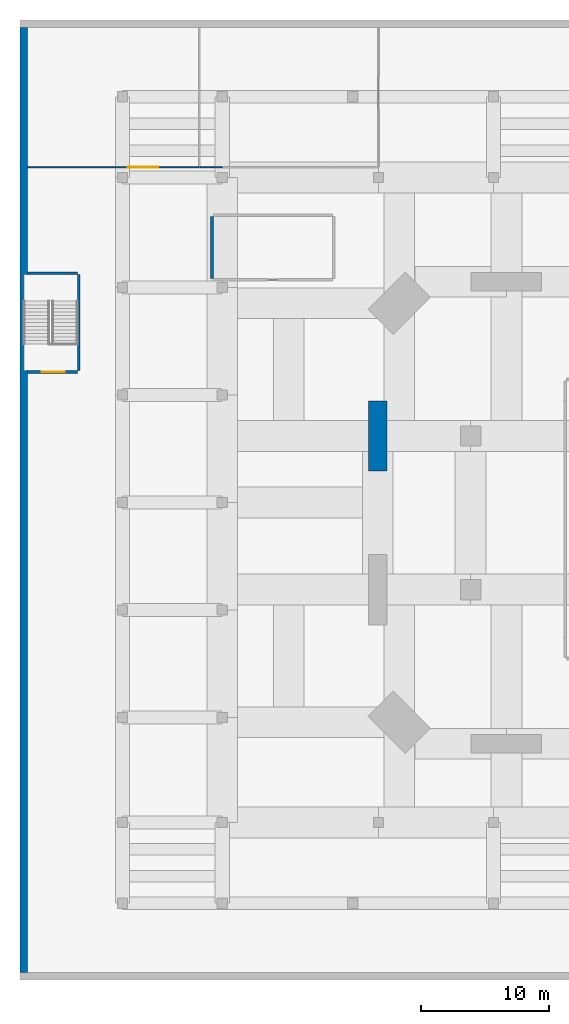
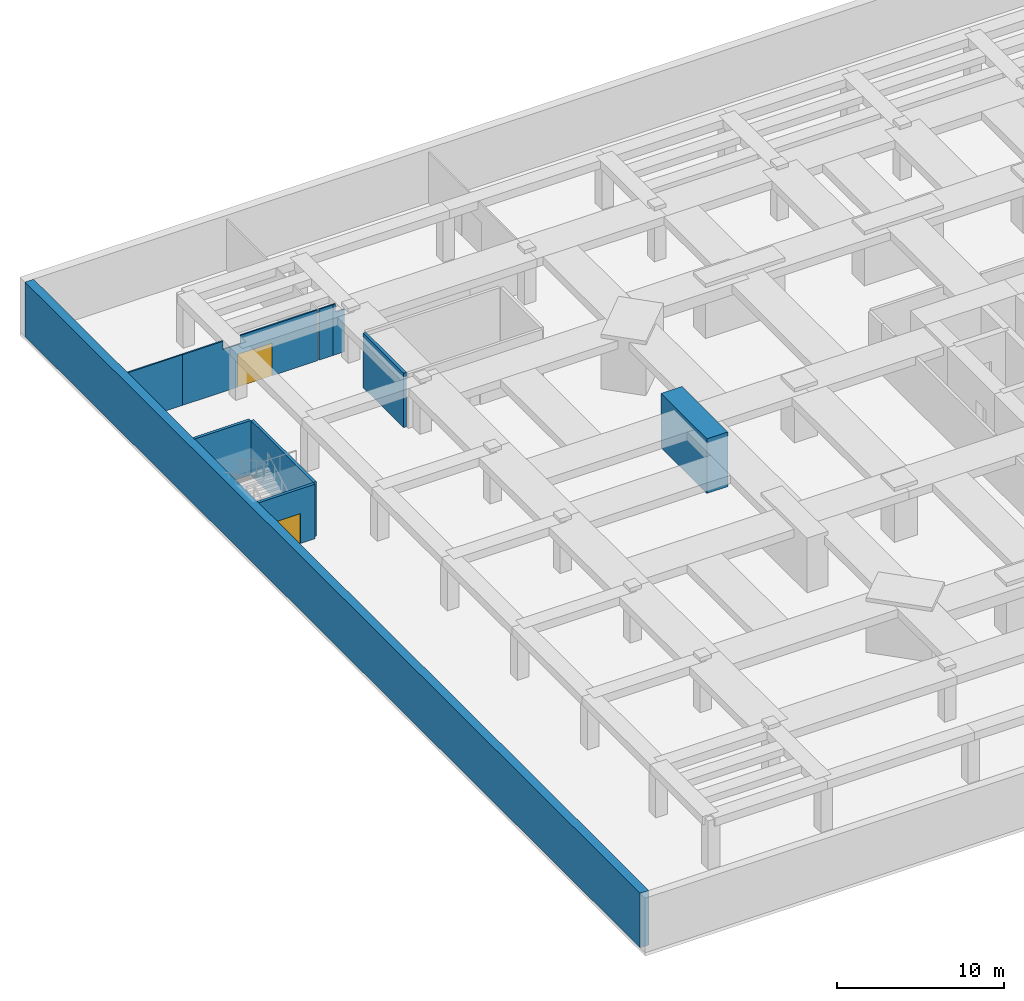
# One storey, part 5 of 10: 10 walls, 2 doors, 2 openings.
"""IFC4 building model written with IfcOpenShell, lengths in metres."""

from ifc_helpers import new_model, si_unit, direction, frame, frame_2d, origin, place, context, subcontext, project, spatial, polyline, rectangle, outline, extrude, material, layer, layer_set, constituent, constituent_set, type_object, element, fill, save


model = new_model("IFC4")

# Units and contexts
model_context = context("Model", 3, precision=1e-05, world=origin(), true_north=direction((0.0, 1.0)))
body_context = subcontext(model_context, "Body", "Model", "MODEL_VIEW")
ifc_project = project(units=[si_unit("LENGTHUNIT", "METRE"), si_unit("AREAUNIT", "SQUARE_METRE"), si_unit("VOLUMEUNIT", "CUBIC_METRE"), si_unit("PLANEANGLEUNIT", "RADIAN"), si_unit("MASSUNIT", "GRAM", prefix="KILO")], contexts=[model_context])

# Site, building, storey
site_placement = place(None, origin())
site = spatial("IfcSite", under=ifc_project, at=site_placement, CompositionType="ELEMENT")
building_placement = place(site_placement, origin())
building = spatial("IfcBuilding", under=site, at=building_placement, Name="Jalousie Tower", CompositionType="ELEMENT")
storey_placement = place(building_placement, frame((0.0, 0.0, -4.0)))
storey = spatial("IfcBuildingStorey", under=building, at=storey_placement, Name="B1", CompositionType="ELEMENT", Elevation=-4.0)

# Wall
ifc_material_1 = material(Name="Concrete f'c 120 MPa", Category="concrete")
ifc_layer_1 = layer(ifc_material_1, 0.60009765625)
ifc_layer_set_1 = layer_set([ifc_layer_1], Name="Concrete f'c 120 MPa")
wall_type_1 = type_object("IfcWallType", Name="BASEMENT RETAINING WALL 600", PredefinedType="SOLIDWALL", material=ifc_layer_set_1)
wall_1_placement = place(storey_placement, frame((-24.699951171875, 56.89990234375, 0.0), z_axis=(0.0, 0.0, 1.0), x_axis=(0.0, -1.0, 0.0)))
element("IfcWall", 1, at=wall_1_placement, inside=storey, type_object=wall_type_1, Name="Basement wall W B1", PredefinedType="SOLIDWALL", context=body_context, shape_type="SweptSolid", body=[
    extrude(rectangle(XDim=73.7998046875, YDim=0.60009765625, at=frame_2d((36.89990234375, 0.0))), origin(), (0.0, 0.0, 1.0), 4.0),
])

# Wall, opening, door
ifc_material_2 = material(Name="Type X gypsum board", Category="gypsum")
ifc_constituent_1 = constituent(ifc_material_2, Name="Body")
ifc_material_3 = material(Name="Light-gauge steel studs ASTM A653 SS Grade 33", Category="steel")
ifc_constituent_2 = constituent(ifc_material_3, Name="Framing")
ifc_constituent_set_1 = constituent_set(constituents=[ifc_constituent_1, ifc_constituent_2])
wall_type_2 = type_object("IfcWallType", Name="FIRE PARTITION 100", PredefinedType="PARTITIONING", material=ifc_constituent_set_1)
wall_2_placement = place(storey_placement, frame((-20.39990234375, 46.0, 0.0), z_axis=(0.0, 0.0, 1.0), x_axis=(1.0, 0.0, 0.0)))
wall_2 = element("IfcWall", 2, at=wall_2_placement, inside=storey, type_object=wall_type_2, Name="Fire Partition 100 B1", PredefinedType="PARTITIONING", context=body_context, shape_type="SweptSolid", body=[
    extrude(outline(polyline([(0.0, 0.0), (9.349853515625, 0.0), (9.35009765625, 3.719970703125), (4.010009765625, 3.719970703125), (4.010009765625, 3.1201171875), (2.7900390625, 3.1201171875), (2.7900390625, 3.719970703125), (0.0, 3.719970703125), (0.0, 0.0)])), frame((0.0, 0.050048828125, 0.0), z_axis=(0.0, -1.0, 0.0), x_axis=(1.0, 0.0, 0.0)), (0.0, 0.0, 1.0), 0.10009765625),
])
opening_1_placement = place(wall_2_placement, frame((3.800048828125, 0.0, 0.0)))
opening_1 = element("IfcOpeningElement", 3, at=opening_1_placement, cuts=wall_2, Name="Opening D9", PredefinedType="OPENING", context=body_context, shape_type="SweptSolid", body=[
    extrude(rectangle(XDim=2.39990234375, YDim=2.39990234375, at=frame_2d((1.199951171875, 1.199951171875))), frame((0.0, 0.06005859375, 0.0), z_axis=(0.0, -1.0, 0.0), x_axis=(1.0, 0.0, 0.0)), (0.0, 0.0, 1.0), 0.1201171875),
])
ifc_material_4 = material(Name="Steel fire door", Category="steel")
door_type_1 = type_object("IfcDoorType", Name="PLANT DOOR 2400", OperationType="DOUBLE_DOOR_SINGLE_SWING", PredefinedType="DOOR", material=ifc_material_4)
door_1_placement = place(opening_1_placement, origin())
door_1 = element("IfcDoor", 4, at=door_1_placement, inside=storey, type_object=door_type_1, Name="Plant room door", OperationType="DOUBLE_DOOR_SINGLE_SWING", OverallHeight=2.39990234375, OverallWidth=2.39990234375, PredefinedType="DOOR", context=body_context, shape_type="SweptSolid", body=[
    extrude(rectangle(XDim=2.39990234375, YDim=2.39990234375, at=frame_2d((1.199951171875, 1.199951171875))), frame((0.0, 0.02490234375, 0.0), z_axis=(0.0, -1.0, 0.0), x_axis=(1.0, 0.0, 0.0)), (0.0, 0.0, 1.0), 0.050048828125),
])
fill(opening_1, door_1)

# Walls
ifc_material_5 = material(Name="Gypsum board", Category="gypsum")
ifc_constituent_3 = constituent(ifc_material_5, Name="Body")
ifc_material_6 = material(Name="Light-gauge steel studs ASTM A653 SS Grade 33", Category="steel")
ifc_constituent_4 = constituent(ifc_material_6, Name="Framing")
ifc_constituent_set_2 = constituent_set(constituents=[ifc_constituent_3, ifc_constituent_4])
wall_type_3 = type_object("IfcWallType", Name="PARTITION 100", PredefinedType="PARTITIONING", material=ifc_constituent_set_2)
wall_3_placement = place(storey_placement, frame((-10.949951171875, 46.0, 0.0), z_axis=(0.0, 0.0, 1.0), x_axis=(1.0, 0.0, 0.0)))
element("IfcWall", 5, at=wall_3_placement, inside=storey, type_object=wall_type_3, Name="Partition 100 B1", PredefinedType="PARTITIONING", context=body_context, shape_type="SweptSolid", body=[
    extrude(rectangle(XDim=0.949951171875, YDim=0.10009765625, at=frame_2d((0.47509765625, 0.0))), origin(), (0.0, 0.0, 1.0), 3.719970703125),
])
wall_4_placement = place(storey_placement, frame((-10.0, 46.0, 0.0), z_axis=(0.0, 0.0, 1.0), x_axis=(1.0, 0.0, 0.0)))
element("IfcWall", 6, at=wall_4_placement, inside=storey, type_object=wall_type_3, Name="Partition 100 B1-A", PredefinedType="PARTITIONING", context=body_context, shape_type="SweptSolid", body=[
    extrude(outline(polyline([(0.0, 0.0), (0.800048828125, 0.0), (0.800048828125, 3.1201171875), (0.18994140625, 3.1201171875), (0.18994140625, 3.719970703125), (0.0, 3.719970703125), (0.0, 0.0)])), frame((0.0, 0.050048828125, 0.0), z_axis=(0.0, -1.0, 0.0), x_axis=(1.0, 0.0, 0.0)), (0.0, 0.0, 1.0), 0.10009765625),
])
wall_5_placement = place(storey_placement, frame((-24.39990234375, 46.0, 0.0), z_axis=(0.0, 0.0, 1.0), x_axis=(1.0, 0.0, 0.0)))
element("IfcWall", 7, at=wall_5_placement, inside=storey, type_object=wall_type_3, Name="Partition 100 B1", PredefinedType="PARTITIONING", context=body_context, shape_type="SweptSolid", body=[
    extrude(rectangle(XDim=4.0, YDim=0.10009765625, at=frame_2d((2.0, 0.0))), origin(), (0.0, 0.0, 1.0), 3.719970703125),
])
ifc_material_7 = material(Name="Concrete f'c 120 MPa", Category="concrete")
ifc_layer_2 = layer(ifc_material_7, 1.449951171875)
ifc_layer_set_2 = layer_set([ifc_layer_2], Name="Concrete f'c 120 MPa")
wall_type_4 = type_object("IfcWallType", Name="RC WALL PIER 1450", PredefinedType="SHEAR", material=ifc_layer_set_2)
wall_6_placement = place(storey_placement, frame((2.949951171875, 22.25, 0.0), z_axis=(0.0, 0.0, 1.0), x_axis=(0.0, 1.0, 0.0)))
element("IfcWall", 8, at=wall_6_placement, inside=storey, type_object=wall_type_4, Name="Wall pier 13 B1", PredefinedType="SHEAR", context=body_context, shape_type="SweptSolid", body=[
    extrude(rectangle(XDim=5.5, YDim=1.449951171875, at=frame_2d((2.75, 0.0))), origin(), (0.0, 0.0, 1.0), 4.0),
])
ifc_material_8 = material(Name="Concrete block ASTM C90", Category="concrete")
ifc_constituent_5 = constituent(ifc_material_8, Name="Body")
ifc_material_9 = material(Name="Render")
ifc_constituent_6 = constituent(ifc_material_9, Name="Finish")
ifc_constituent_set_3 = constituent_set(constituents=[ifc_constituent_5, ifc_constituent_6])
wall_type_5 = type_object("IfcWallType", Name="STAIR WALL 200", PredefinedType="SOLIDWALL", material=ifc_constituent_set_3)
wall_7_placement = place(storey_placement, frame((-20.39990234375, 30.10009765625, 0.0), z_axis=(0.0, 0.0, 1.0), x_axis=(0.0, 1.0, 0.0)))
element("IfcWall", 9, at=wall_7_placement, inside=storey, type_object=wall_type_5, Name="Stair Wall 200 B1", PredefinedType="SOLIDWALL", context=body_context, shape_type="SweptSolid", body=[
    extrude(rectangle(XDim=7.5, YDim=0.199951171875, at=frame_2d((3.75, 0.0))), origin(), (0.0, 0.0, 1.0), 4.0),
])
wall_8_placement = place(storey_placement, frame((-10.0, 37.300048828125, 0.0), z_axis=(0.0, 0.0, 1.0), x_axis=(0.0, 1.0, 0.0)))
element("IfcWall", 10, at=wall_8_placement, inside=storey, type_object=wall_type_5, Name="Stair Wall 200 B1", PredefinedType="SOLIDWALL", context=body_context, shape_type="SweptSolid", body=[
    extrude(rectangle(XDim=4.849853515625, YDim=0.199951171875, at=frame_2d((2.4248046875, 0.0))), origin(), (0.0, 0.0, 1.0), 4.0),
])

# Wall, opening, door
wall_9_placement = place(storey_placement, frame((-24.39990234375, 30.0, 0.0), z_axis=(0.0, 0.0, 1.0), x_axis=(1.0, 0.0, 0.0)))
wall_9 = element("IfcWall", 11, at=wall_9_placement, inside=storey, type_object=wall_type_5, Name="Stair Wall 200 B1", PredefinedType="SOLIDWALL", context=body_context, shape_type="SweptSolid", body=[
    extrude(rectangle(XDim=3.89990234375, YDim=0.199951171875, at=frame_2d((1.949951171875, 0.0))), origin(), (0.0, 0.0, 1.0), 4.0),
])
opening_2_placement = place(wall_9_placement, frame((1.10009765625, 0.0, 0.0)))
opening_2 = element("IfcOpeningElement", 12, at=opening_2_placement, cuts=wall_9, Name="Opening D17", PredefinedType="OPENING", context=body_context, shape_type="SweptSolid", body=[
    extrude(rectangle(XDim=1.800048828125, YDim=2.199951171875, at=frame_2d((0.89990234375, 1.10009765625))), frame((0.0, 0.10986328125, 0.0), z_axis=(0.0, -1.0, 0.0), x_axis=(1.0, 0.0, 0.0)), (0.0, 0.0, 1.0), 0.219970703125),
])
ifc_material_10 = material(Name="Steel fire door", Category="steel")
door_type_2 = type_object("IfcDoorType", Name="STAIR DOOR 1800", OperationType="DOUBLE_DOOR_SINGLE_SWING", PredefinedType="DOOR", material=ifc_material_10)
door_2_placement = place(opening_2_placement, origin())
door_2 = element("IfcDoor", 13, at=door_2_placement, inside=storey, type_object=door_type_2, Name="Stair BS1 door", OperationType="DOUBLE_DOOR_SINGLE_SWING", OverallHeight=2.199951171875, OverallWidth=1.800048828125, PredefinedType="DOOR", context=body_context, shape_type="SweptSolid", body=[
    extrude(rectangle(XDim=1.800048828125, YDim=2.199951171875, at=frame_2d((0.89990234375, 1.10009765625))), frame((0.0, 0.02490234375, 0.0), z_axis=(0.0, -1.0, 0.0), x_axis=(1.0, 0.0, 0.0)), (0.0, 0.0, 1.0), 0.050048828125),
])
fill(opening_2, door_2)

# Wall
wall_10_placement = place(storey_placement, frame((-24.39990234375, 37.699951171875, 0.0), z_axis=(0.0, 0.0, 1.0), x_axis=(1.0, 0.0, 0.0)))
element("IfcWall", 14, at=wall_10_placement, inside=storey, type_object=wall_type_5, Name="Stair Wall 200 B1", PredefinedType="SOLIDWALL", context=body_context, shape_type="SweptSolid", body=[
    extrude(rectangle(XDim=3.89990234375, YDim=0.199951171875, at=frame_2d((1.949951171875, 0.0))), origin(), (0.0, 0.0, 1.0), 4.0),
])

save(model, "model.ifc")
